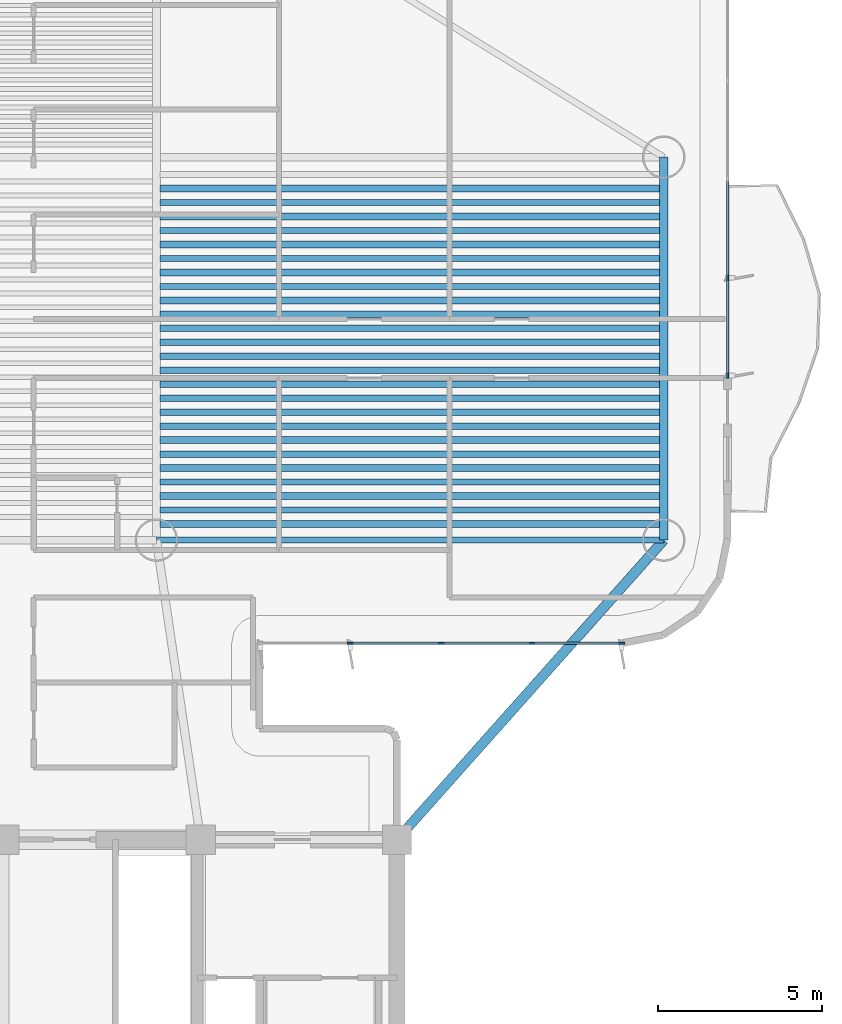
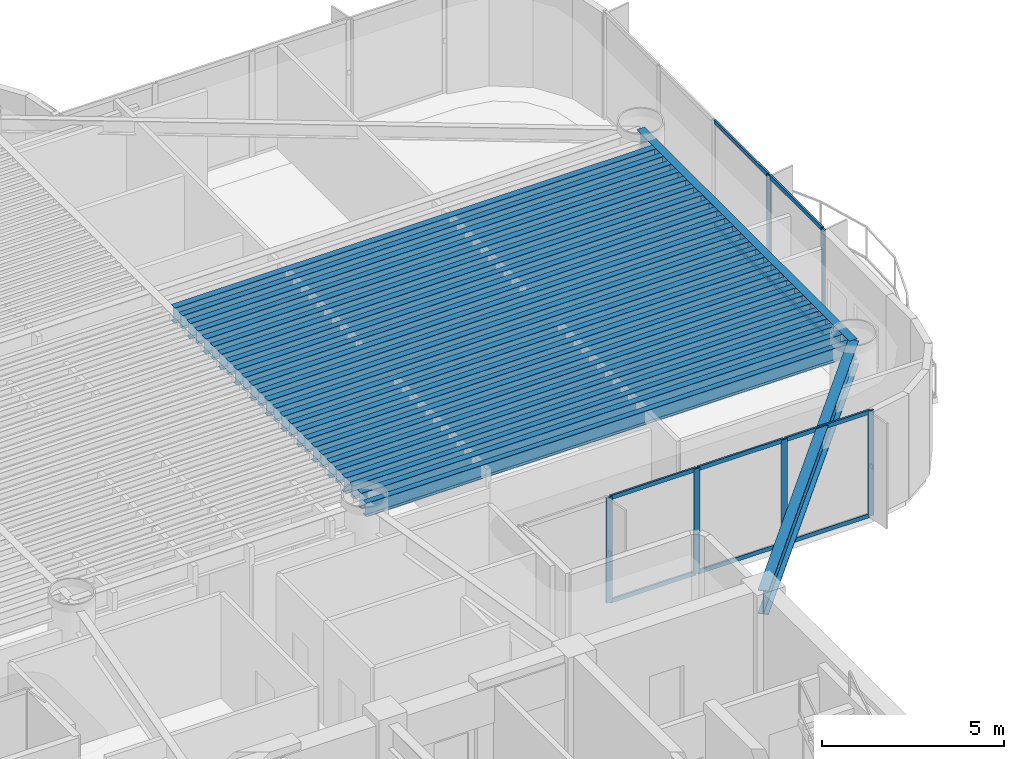
# One storey, part 4 of 16: 28 beams, 16 members, 2 elements without a shape of their own.
"""IFC4 building model written with IfcOpenShell, lengths in metres."""

from ifc_helpers import new_model, si_unit, direction, frame, origin, origin_2d, place, context, subcontext, project, spatial, rectangle, i_section, extrude, source, transform, mapped, material, layer, layer_set, material_profile, profile_set, type_object, element, aggregate, save


model = new_model("IFC4")

# Units and contexts
model_context = context("Model", 3, precision=1e-05, world=origin(), true_north=direction((0.0, 1.0)))
body_context = subcontext(model_context, "Body", "Model", "MODEL_VIEW")
ifc_project = project(units=[si_unit("LENGTHUNIT", "METRE"), si_unit("AREAUNIT", "SQUARE_METRE"), si_unit("VOLUMEUNIT", "CUBIC_METRE"), si_unit("PLANEANGLEUNIT", "RADIAN"), si_unit("MASSUNIT", "GRAM", prefix="KILO")], contexts=[model_context])

# Site, building, storey
site_placement = place(None, origin())
site = spatial("IfcSite", under=ifc_project, at=site_placement, CompositionType="ELEMENT")
building_placement = place(site_placement, origin())
building = spatial("IfcBuilding", under=site, at=building_placement, Name="Brelvock Crest Care Tower", CompositionType="ELEMENT")
storey_placement = place(building_placement, frame((0.0, 0.0, 101.159912109375)))
storey = spatial("IfcBuildingStorey", under=building, at=storey_placement, Name="L25", CompositionType="ELEMENT", Elevation=101.159912109375)

# Beams
ifc_material_1 = material(Name="Steel Grade 350", Category="steel")
ifc_material_profile_1 = material_profile(ifc_material_1, i_section(OverallWidth=0.208984375, OverallDepth=0.532958984375, WebThickness=0.01025390625, FlangeThickness=0.015625, FilletRadius=0.013916015625, at=origin_2d()), Name="530UB92.4")
ifc_profile_set_1 = profile_set([ifc_material_profile_1], Name="Steel Grade 350")
beam_type_1 = type_object("IfcBeamType", Name="BM-G2", PredefinedType="BEAM", material=ifc_profile_set_1)
shared_shape_1 = source(origin(), body_context, "Body", "SweptSolid", [
    extrude(i_section(OverallWidth=0.208984375, OverallDepth=0.532958984375, WebThickness=0.01025390625, FlangeThickness=0.015625, FilletRadius=0.013916015625, at=origin_2d()), origin(), (0.0, 0.0, 1.0), 15.27001953125),
])
for number, where, z_axis, x_axis, name in (
    (1, (40.764892578125, 27.641357421875, 3.263671875), (1.0, 0.0, 0.0), (0.0, 1.0, 0.0), "BM-JE-L25-1"),
    (2, (40.764892578125, 28.49560546875, 3.263671875), (1.0, 0.0, 0.0), (0.0, 1.0, 0.0), "BM-JE-L25-3"),
    (3, (40.764892578125, 29.349609375, 3.263671875), (1.0, 0.0, 0.0), (0.0, 1.0, 0.0), "BM-JE-L25-5"),
    (4, (40.764892578125, 30.20361328125, 3.263671875), (1.0, 0.0, 0.0), (0.0, 1.0, 0.0), "BM-JE-L25-7"),
    (5, (40.764892578125, 31.057861328125, 3.263671875), (1.0, 0.0, 0.0), (0.0, 1.0, 0.0), "BM-JE-L25-9"),
    (6, (40.764892578125, 31.911865234375, 3.263671875), (1.0, 0.0, 0.0), (0.0, 1.0, 0.0), "BM-JE-L25-11"),
    (7, (40.764892578125, 32.76611328125, 3.263671875), (1.0, 0.0, 0.0), (0.0, 1.0, 0.0), "BM-JE-L25-13"),
    (8, (40.764892578125, 33.6201171875, 3.263671875), (1.0, 0.0, 0.0), (0.0, 1.0, 0.0), "BM-JE-L25-15"),
    (9, (40.764892578125, 34.47412109375, 3.263671875), (1.0, 0.0, 0.0), (0.0, 1.0, 0.0), "BM-JE-L25-17"),
    (10, (40.764892578125, 35.328369140625, 3.263671875), (1.0, 0.0, 0.0), (0.0, 1.0, 0.0), "BM-JE-L25-19"),
    (11, (40.764892578125, 36.182373046875, 3.263671875), (1.0, 0.0, 0.0), (0.0, 1.0, 0.0), "BM-JE-L25-21"),
    (12, (40.764892578125, 37.03662109375, 3.263671875), (1.0, 0.0, 0.0), (0.0, 1.0, 0.0), "BM-JE-L25-23"),
    (13, (40.764892578125, 37.890625, 3.263671875), (1.0, 0.0, 0.0), (0.0, 1.0, 0.0), "BM-JE-L25-25"),
):
    element("IfcBeam", number, at=place(storey_placement, frame(where, z_axis=z_axis, x_axis=x_axis)), inside=storey, type_object=beam_type_1, Name=name, PredefinedType="BEAM", context=body_context, shape_type="MappedRepresentation", body=[
        mapped(shared_shape_1, transform((0.0, 0.0, 0.0), x_axis=(1.0, 0.0, 0.0), y_axis=(0.0, 1.0, 0.0), z_axis=(0.0, 0.0, 1.0), scale=1.0)),
    ])
ifc_material_profile_2 = material_profile(ifc_material_1, i_section(OverallWidth=0.19091796875, OverallDepth=0.4599609375, WebThickness=0.010009765625, FlangeThickness=0.01611328125, FilletRadius=0.011474609375, at=origin_2d()), Name="460UB82.1")
ifc_profile_set_2 = profile_set([ifc_material_profile_2], Name="Steel Grade 350")
beam_type_2 = type_object("IfcBeamType", Name="BM-G3", PredefinedType="BEAM", material=ifc_profile_set_2)
shared_shape_2 = source(origin(), body_context, "Body", "SweptSolid", [
    extrude(i_section(OverallWidth=0.19091796875, OverallDepth=0.4599609375, WebThickness=0.010009765625, FlangeThickness=0.01611328125, FilletRadius=0.011474609375, at=origin_2d()), origin(), (0.0, 0.0, 1.0), 15.27001953125),
])
for number, where, z_axis, x_axis, name in (
    (14, (40.764892578125, 28.068359375, 3.300048828125), (1.0, 0.0, 0.0), (0.0, 1.0, 0.0), "BM-JE-L25-2"),
    (15, (40.764892578125, 28.922607421875, 3.300048828125), (1.0, 0.0, 0.0), (0.0, 1.0, 0.0), "BM-JE-L25-4"),
    (16, (40.764892578125, 29.776611328125, 3.300048828125), (1.0, 0.0, 0.0), (0.0, 1.0, 0.0), "BM-JE-L25-6"),
    (17, (40.764892578125, 30.630615234375, 3.300048828125), (1.0, 0.0, 0.0), (0.0, 1.0, 0.0), "BM-JE-L25-8"),
    (18, (40.764892578125, 31.48486328125, 3.300048828125), (1.0, 0.0, 0.0), (0.0, 1.0, 0.0), "BM-JE-L25-10"),
    (19, (40.764892578125, 32.3388671875, 3.300048828125), (1.0, 0.0, 0.0), (0.0, 1.0, 0.0), "BM-JE-L25-12"),
    (20, (40.764892578125, 33.193115234375, 3.300048828125), (1.0, 0.0, 0.0), (0.0, 1.0, 0.0), "BM-JE-L25-14"),
    (21, (40.764892578125, 34.047119140625, 3.300048828125), (1.0, 0.0, 0.0), (0.0, 1.0, 0.0), "BM-JE-L25-16"),
    (22, (40.764892578125, 34.901123046875, 3.300048828125), (1.0, 0.0, 0.0), (0.0, 1.0, 0.0), "BM-JE-L25-18"),
    (23, (40.764892578125, 35.75537109375, 3.300048828125), (1.0, 0.0, 0.0), (0.0, 1.0, 0.0), "BM-JE-L25-20"),
    (24, (40.764892578125, 36.609619140625, 3.300048828125), (1.0, 0.0, 0.0), (0.0, 1.0, 0.0), "BM-JE-L25-22"),
    (25, (40.764892578125, 37.46337890625, 3.300048828125), (1.0, 0.0, 0.0), (0.0, 1.0, 0.0), "BM-JE-L25-24"),
):
    element("IfcBeam", number, at=place(storey_placement, frame(where, z_axis=z_axis, x_axis=x_axis)), inside=storey, type_object=beam_type_2, Name=name, PredefinedType="BEAM", context=body_context, shape_type="MappedRepresentation", body=[
        mapped(shared_shape_2, transform((0.0, 0.0, 0.0), x_axis=(1.0, 0.0, 0.0), y_axis=(0.0, 1.0, 0.0), z_axis=(0.0, 0.0, 1.0), scale=1.0)),
    ])
ifc_material_profile_3 = material_profile(ifc_material_1, i_section(OverallWidth=0.25, OverallDepth=0.699951171875, WebThickness=0.011962890625, FlangeThickness=0.02001953125, at=origin_2d()), Name="700WB150")
ifc_profile_set_3 = profile_set([ifc_material_profile_3], Name="Steel Grade 350")
beam_type_3 = type_object("IfcBeamType", Name="BM-G4", PredefinedType="BEAM", material=ifc_profile_set_3)
shared_shape_3 = source(origin(), body_context, "Body", "SweptSolid", [
    extrude(i_section(OverallWidth=0.25, OverallDepth=0.699951171875, WebThickness=0.011962890625, FlangeThickness=0.02001953125, at=origin_2d()), origin(), (0.0, 0.0, 1.0), 11.7001953125),
])
beam_1_placement = place(storey_placement, frame((56.14990234375, 27.14990234375, 3.18017578125), z_axis=(0.0, 1.0, 0.0), x_axis=(-1.0, 0.0, 0.0)))
element("IfcBeam", 26, at=beam_1_placement, inside=storey, type_object=beam_type_3, Name="BM-TWR-L25-02", PredefinedType="BEAM", context=body_context, shape_type="MappedRepresentation", body=[
    mapped(shared_shape_3, transform((0.0, 0.0, 0.0), x_axis=(1.0, 0.0, 0.0), y_axis=(0.0, 1.0, 0.0), z_axis=(0.0, 0.0, 1.0), scale=1.0)),
])
ifc_material_profile_4 = material_profile(ifc_material_1, i_section(OverallWidth=0.19091796875, OverallDepth=0.4599609375, WebThickness=0.010009765625, FlangeThickness=0.01611328125, FilletRadius=0.011474609375, at=origin_2d()), Name="460UB82.1")
ifc_profile_set_4 = profile_set([ifc_material_profile_4], Name="Steel Grade 350")
beam_type_4 = type_object("IfcBeamType", Name="BM-SP2", PredefinedType="SPANDREL", material=ifc_profile_set_4)
shared_shape_4 = source(origin(), body_context, "Body", "SweptSolid", [
    extrude(i_section(OverallWidth=0.19091796875, OverallDepth=0.4599609375, WebThickness=0.010009765625, FlangeThickness=0.01611328125, FilletRadius=0.011474609375, at=origin_2d()), origin(), (0.0, 0.0, 1.0), 15.5),
])
beam_2_placement = place(storey_placement, frame((40.64990234375, 27.14990234375, 3.300048828125), z_axis=(1.0, 0.0, 0.0), x_axis=(0.0, 1.0, 0.0)))
element("IfcBeam", 27, at=beam_2_placement, inside=storey, type_object=beam_type_4, Name="BM-TWR-L25-04", PredefinedType="SPANDREL", context=body_context, shape_type="MappedRepresentation", body=[
    mapped(shared_shape_4, transform((0.0, 0.0, 0.0), x_axis=(1.0, 0.0, 0.0), y_axis=(0.0, 1.0, 0.0), z_axis=(0.0, 0.0, 1.0), scale=1.0)),
])
ifc_material_profile_5 = material_profile(ifc_material_1, i_section(OverallWidth=0.300048828125, OverallDepth=0.800048828125, WebThickness=0.013916015625, FlangeThickness=0.02197265625, at=origin_2d()), Name="800WB192")
ifc_profile_set_5 = profile_set([ifc_material_profile_5], Name="Steel Grade 350")
beam_type_5 = type_object("IfcBeamType", Name="BM-G5", PredefinedType="BEAM", material=ifc_profile_set_5)
shared_shape_5 = source(origin(), body_context, "Body", "SweptSolid", [
    extrude(i_section(OverallWidth=0.300048828125, OverallDepth=0.800048828125, WebThickness=0.013916015625, FlangeThickness=0.02197265625, at=origin_2d()), origin(), (0.0, 0.0, 1.0), 12.253173828125),
])
beam_3_placement = place(storey_placement, frame((48.0, 18.0, 3.130126953125), z_axis=(0.665122829149, 0.746733970129, 0.0), x_axis=(-0.746733970129, 0.665122829149, 0.0)))
element("IfcBeam", 28, at=beam_3_placement, inside=storey, type_object=beam_type_5, Name="BM-THRO-E-L25", PredefinedType="BEAM", context=body_context, shape_type="MappedRepresentation", body=[
    mapped(shared_shape_5, transform((0.0, 0.0, 0.0), x_axis=(1.0, 0.0, 0.0), y_axis=(0.0, 1.0, 0.0), z_axis=(0.0, 0.0, 1.0), scale=1.0)),
])

# Curtain wall, members
ifc_material_2 = material(Name="Dark Glass Double Glazed Low-E", Category="glass")
ifc_layer = layer(ifc_material_2, 0.2099609375, Name="CWS-3")
ifc_layer_set = layer_set([ifc_layer], Name="Dark Glass Double Glazed Low-E")
curtain_wall_type = type_object("IfcCurtainWallType", Name="CWS-3", PredefinedType="NOTDEFINED", material=ifc_layer_set)
curtain_wall_1_placement = place(storey_placement, origin())
curtain_wall_1 = element("IfcCurtainWall", 29, at=curtain_wall_1_placement, inside=storey, type_object=curtain_wall_type, Name="L25 Curtain Wall E39A", PredefinedType="NOTDEFINED")
ifc_material_3 = material(Name="Aluminium 6063-T6", Category="aluminium")
ifc_material_profile_6 = material_profile(ifc_material_3, rectangle(XDim=0.06005859375, YDim=0.179931640625, at=origin_2d()), Name="ALU60x180")
ifc_profile_set_6 = profile_set([ifc_material_profile_6], Name="Aluminium 6063-T6")
member_type_1 = type_object("IfcMemberType", Name="CWM-2", PredefinedType="MULLION", material=ifc_profile_set_6)
shared_shape_6 = source(origin(), body_context, "Body", "SweptSolid", [
    extrude(rectangle(XDim=0.06005859375, YDim=0.179931640625, at=origin_2d()), origin(), (0.0, 0.0, 1.0), 3.530029296875),
])
member_1_placement = place(storey_placement, frame((58.10009765625, 35.16259765625, 0.0), z_axis=(0.0, 0.0, 1.0), x_axis=(1.0, 0.0, 0.0)))
member_1 = element("IfcMember", 30, at=member_1_placement, type_object=member_type_1, Name="CW-3 mullion 4", PredefinedType="MULLION", context=body_context, shape_type="MappedRepresentation", body=[
    mapped(shared_shape_6, transform((0.0, 0.0, 0.0), x_axis=(1.0, 0.0, 0.0), y_axis=(0.0, 1.0, 0.0), z_axis=(0.0, 0.0, 1.0), scale=1.0)),
])
member_2_placement = place(storey_placement, frame((58.10009765625, 32.179931640625, 0.0), z_axis=(0.0, 0.0, 1.0), x_axis=(1.0, 0.0, 0.0)))
member_2 = element("IfcMember", 31, at=member_2_placement, type_object=member_type_1, Name="CW-3 mullion 5", PredefinedType="MULLION", context=body_context, shape_type="MappedRepresentation", body=[
    mapped(shared_shape_6, transform((0.0, 0.0, 0.0), x_axis=(1.0, 0.0, 0.0), y_axis=(0.0, 1.0, 0.0), z_axis=(0.0, 0.0, 1.0), scale=1.0)),
])

curtain_wall_2_placement = place(storey_placement, origin())
curtain_wall_2 = element("IfcCurtainWall", 32, at=curtain_wall_2_placement, inside=storey, type_object=curtain_wall_type, Name="L25 Curtain Wall E44", PredefinedType="NOTDEFINED")
member_3_placement = place(storey_placement, frame((54.8701171875, 24.0, 0.0), z_axis=(0.0, 0.0, 1.0), x_axis=(0.0, -1.0, 0.0)))
member_3 = element("IfcMember", 33, at=member_3_placement, type_object=member_type_1, Name="CW-3 mullion 1", PredefinedType="MULLION", context=body_context, shape_type="MappedRepresentation", body=[
    mapped(shared_shape_6, transform((0.0, 0.0, 0.0), x_axis=(1.0, 0.0, 0.0), y_axis=(0.0, 1.0, 0.0), z_axis=(0.0, 0.0, 1.0), scale=1.0)),
])
member_4_placement = place(storey_placement, frame((52.125, 24.0, 0.0), z_axis=(0.0, 0.0, 1.0), x_axis=(0.0, -1.0, 0.0)))
member_4 = element("IfcMember", 34, at=member_4_placement, type_object=member_type_1, Name="CW-3 mullion 2", PredefinedType="MULLION", context=body_context, shape_type="MappedRepresentation", body=[
    mapped(shared_shape_6, transform((0.0, 0.0, 0.0), x_axis=(1.0, 0.0, 0.0), y_axis=(0.0, 1.0, 0.0), z_axis=(0.0, 0.0, 1.0), scale=1.0)),
])
member_5_placement = place(storey_placement, frame((49.35009765625, 24.0, 0.0), z_axis=(0.0, 0.0, 1.0), x_axis=(0.0, -1.0, 0.0)))
member_5 = element("IfcMember", 35, at=member_5_placement, type_object=member_type_1, Name="CW-3 mullion 3", PredefinedType="MULLION", context=body_context, shape_type="MappedRepresentation", body=[
    mapped(shared_shape_6, transform((0.0, 0.0, 0.0), x_axis=(1.0, 0.0, 0.0), y_axis=(0.0, 1.0, 0.0), z_axis=(0.0, 0.0, 1.0), scale=1.0)),
])
member_6_placement = place(storey_placement, frame((46.574951171875, 24.0, 0.0), z_axis=(0.0, 0.0, 1.0), x_axis=(0.0, -1.0, 0.0)))
member_6 = element("IfcMember", 36, at=member_6_placement, type_object=member_type_1, Name="CW-3 mullion 4", PredefinedType="MULLION", context=body_context, shape_type="MappedRepresentation", body=[
    mapped(shared_shape_6, transform((0.0, 0.0, 0.0), x_axis=(1.0, 0.0, 0.0), y_axis=(0.0, 1.0, 0.0), z_axis=(0.0, 0.0, 1.0), scale=1.0)),
])
ifc_material_profile_7 = material_profile(ifc_material_3, rectangle(XDim=0.06005859375, YDim=0.139892578125, at=origin_2d()), Name="ALU60x140")
ifc_profile_set_7 = profile_set([ifc_material_profile_7], Name="Aluminium 6063-T6")
member_type_2 = type_object("IfcMemberType", Name="CWT-2", PredefinedType="USERDEFINED", material=ifc_profile_set_7)
shared_shape_7 = source(origin(), body_context, "Body", "SweptSolid", [
    extrude(rectangle(XDim=0.06005859375, YDim=0.139892578125, at=origin_2d()), origin(), (0.0, 0.0, 1.0), 2.715087890625),
])
member_7_placement = place(storey_placement, frame((52.094970703125, 24.0, 0.030029296875), z_axis=(-1.0, 0.0, 0.0), x_axis=(0.0, -1.0, 0.0)))
member_7 = element("IfcMember", 37, at=member_7_placement, type_object=member_type_2, Name="CW-3 transom 2.1", ObjectType="TRANSOM", PredefinedType="USERDEFINED", context=body_context, shape_type="MappedRepresentation", body=[
    mapped(shared_shape_7, transform((0.0, 0.0, 0.0), x_axis=(1.0, 0.0, 0.0), y_axis=(0.0, 1.0, 0.0), z_axis=(0.0, 0.0, 1.0), scale=1.0)),
])
member_8_placement = place(storey_placement, frame((52.094970703125, 24.0, 3.5), z_axis=(-1.0, 0.0, 0.0), x_axis=(0.0, -1.0, 0.0)))
member_8 = element("IfcMember", 38, at=member_8_placement, type_object=member_type_2, Name="CW-3 transom 2.2", ObjectType="TRANSOM", PredefinedType="USERDEFINED", context=body_context, shape_type="MappedRepresentation", body=[
    mapped(shared_shape_7, transform((0.0, 0.0, 0.0), x_axis=(1.0, 0.0, 0.0), y_axis=(0.0, 1.0, 0.0), z_axis=(0.0, 0.0, 1.0), scale=1.0)),
])
member_9_placement = place(storey_placement, frame((49.320068359375, 24.0, 0.030029296875), z_axis=(-1.0, 0.0, 0.0), x_axis=(0.0, -1.0, 0.0)))
member_9 = element("IfcMember", 39, at=member_9_placement, type_object=member_type_2, Name="CW-3 transom 3.1", ObjectType="TRANSOM", PredefinedType="USERDEFINED", context=body_context, shape_type="MappedRepresentation", body=[
    mapped(shared_shape_7, transform((0.0, 0.0, 0.0), x_axis=(1.0, 0.0, 0.0), y_axis=(0.0, 1.0, 0.0), z_axis=(0.0, 0.0, 1.0), scale=1.0)),
])
member_10_placement = place(storey_placement, frame((49.320068359375, 24.0, 3.5), z_axis=(-1.0, 0.0, 0.0), x_axis=(0.0, -1.0, 0.0)))
member_10 = element("IfcMember", 40, at=member_10_placement, type_object=member_type_2, Name="CW-3 transom 3.2", ObjectType="TRANSOM", PredefinedType="USERDEFINED", context=body_context, shape_type="MappedRepresentation", body=[
    mapped(shared_shape_7, transform((0.0, 0.0, 0.0), x_axis=(1.0, 0.0, 0.0), y_axis=(0.0, 1.0, 0.0), z_axis=(0.0, 0.0, 1.0), scale=1.0)),
])
shared_shape_8 = source(origin(), body_context, "Body", "SweptSolid", [
    extrude(rectangle(XDim=0.06005859375, YDim=0.139892578125, at=origin_2d()), origin(), (0.0, 0.0, 1.0), 2.68505859375),
])
member_11_placement = place(storey_placement, frame((54.840087890625, 24.0, 0.030029296875), z_axis=(-1.0, 0.0, 0.0), x_axis=(0.0, -1.0, 0.0)))
member_11 = element("IfcMember", 41, at=member_11_placement, type_object=member_type_2, Name="CW-3 transom 1.1", ObjectType="TRANSOM", PredefinedType="USERDEFINED", context=body_context, shape_type="MappedRepresentation", body=[
    mapped(shared_shape_8, transform((0.0, 0.0, 0.0), x_axis=(1.0, 0.0, 0.0), y_axis=(0.0, 1.0, 0.0), z_axis=(0.0, 0.0, 1.0), scale=1.0)),
])
member_12_placement = place(storey_placement, frame((54.840087890625, 24.0, 3.5), z_axis=(-1.0, 0.0, 0.0), x_axis=(0.0, -1.0, 0.0)))
member_12 = element("IfcMember", 42, at=member_12_placement, type_object=member_type_2, Name="CW-3 transom 1.2", ObjectType="TRANSOM", PredefinedType="USERDEFINED", context=body_context, shape_type="MappedRepresentation", body=[
    mapped(shared_shape_8, transform((0.0, 0.0, 0.0), x_axis=(1.0, 0.0, 0.0), y_axis=(0.0, 1.0, 0.0), z_axis=(0.0, 0.0, 1.0), scale=1.0)),
])
aggregate(curtain_wall_2, [member_3, member_4, member_5, member_6, member_11, member_12, member_7, member_8, member_9, member_10])

# Member
shared_shape_9 = source(origin(), body_context, "Body", "SweptSolid", [
    extrude(rectangle(XDim=0.06005859375, YDim=0.139892578125, at=origin_2d()), origin(), (0.0, 0.0, 1.0), 2.922607421875),
])
member_13_placement = place(storey_placement, frame((58.10009765625, 35.132568359375, 0.030029296875), z_axis=(0.0, -1.0, 0.0), x_axis=(1.0, 0.0, 0.0)))
member_13 = element("IfcMember", 43, at=member_13_placement, type_object=member_type_2, Name="CW-3 transom 4.1", ObjectType="TRANSOM", PredefinedType="USERDEFINED", context=body_context, shape_type="MappedRepresentation", body=[
    mapped(shared_shape_9, transform((0.0, 0.0, 0.0), x_axis=(1.0, 0.0, 0.0), y_axis=(0.0, 1.0, 0.0), z_axis=(0.0, 0.0, 1.0), scale=1.0)),
])

member_14_placement = place(storey_placement, frame((58.10009765625, 35.132568359375, 3.5), z_axis=(0.0, -1.0, 0.0), x_axis=(1.0, 0.0, 0.0)))
member_14 = element("IfcMember", 44, at=member_14_placement, type_object=member_type_2, Name="CW-3 transom 4.2", ObjectType="TRANSOM", PredefinedType="USERDEFINED", context=body_context, shape_type="MappedRepresentation", body=[
    mapped(shared_shape_9, transform((0.0, 0.0, 0.0), x_axis=(1.0, 0.0, 0.0), y_axis=(0.0, 1.0, 0.0), z_axis=(0.0, 0.0, 1.0), scale=1.0)),
])

shared_shape_10 = source(origin(), body_context, "Body", "SweptSolid", [
    extrude(rectangle(XDim=0.06005859375, YDim=0.139892578125, at=origin_2d()), origin(), (0.0, 0.0, 1.0), 2.95263671875),
])
member_15_placement = place(storey_placement, frame((58.10009765625, 38.14501953125, 0.030029296875), z_axis=(0.0, -1.0, 0.0), x_axis=(1.0, 0.0, 0.0)))
member_15 = element("IfcMember", 45, at=member_15_placement, type_object=member_type_2, Name="CW-3 transom 3.1", ObjectType="TRANSOM", PredefinedType="USERDEFINED", context=body_context, shape_type="MappedRepresentation", body=[
    mapped(shared_shape_10, transform((0.0, 0.0, 0.0), x_axis=(1.0, 0.0, 0.0), y_axis=(0.0, 1.0, 0.0), z_axis=(0.0, 0.0, 1.0), scale=1.0)),
])

member_16_placement = place(storey_placement, frame((58.10009765625, 38.14501953125, 3.5), z_axis=(0.0, -1.0, 0.0), x_axis=(1.0, 0.0, 0.0)))
member_16 = element("IfcMember", 46, at=member_16_placement, type_object=member_type_2, Name="CW-3 transom 3.2", ObjectType="TRANSOM", PredefinedType="USERDEFINED", context=body_context, shape_type="MappedRepresentation", body=[
    mapped(shared_shape_10, transform((0.0, 0.0, 0.0), x_axis=(1.0, 0.0, 0.0), y_axis=(0.0, 1.0, 0.0), z_axis=(0.0, 0.0, 1.0), scale=1.0)),
])

aggregate(curtain_wall_1, [member_1, member_2, member_15, member_16, member_13, member_14])

save(model, "model.ifc")
